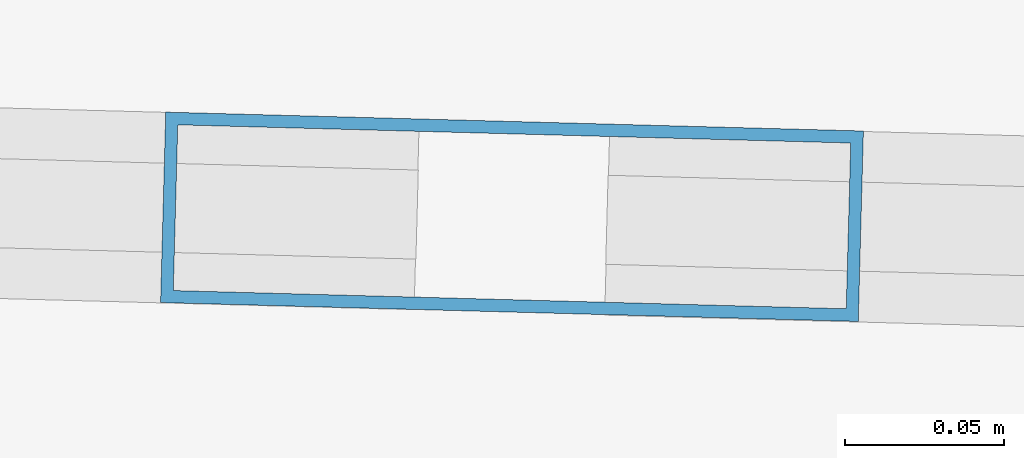
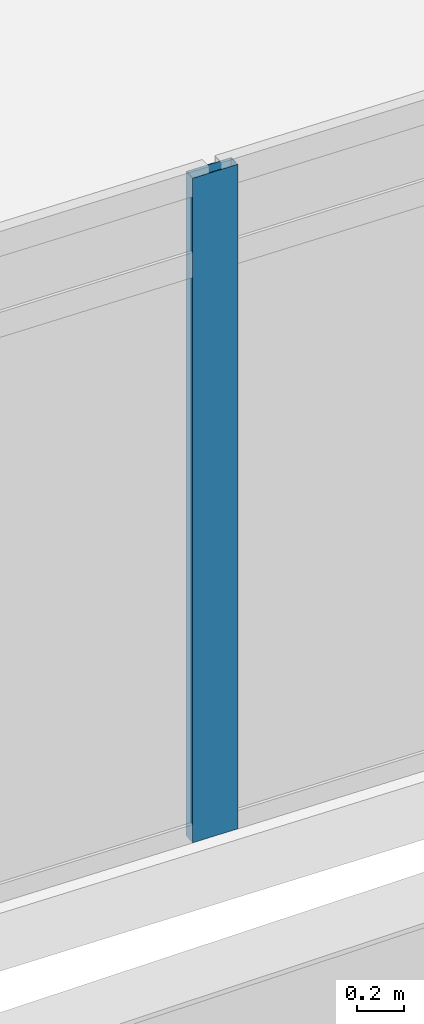
# One storey, part 7 of 38: 1 member, 1 element without a shape of its own.
"""IFC4 building model written with IfcOpenShell, lengths in metres."""

from ifc_helpers import new_model, si_unit, direction, frame, origin, origin_2d, place, context, subcontext, project, spatial, hollow_rectangle, extrude, material, material_profile, profile_set, type_object, element, aggregate, save


model = new_model("IFC4")

# Units and contexts
model_context = context("Model", 3, precision=1e-05, world=origin(), true_north=direction((0.0, 1.0)))
body_context = subcontext(model_context, "Body", "Model", "MODEL_VIEW")
ifc_project = project(units=[si_unit("LENGTHUNIT", "METRE"), si_unit("AREAUNIT", "SQUARE_METRE"), si_unit("VOLUMEUNIT", "CUBIC_METRE"), si_unit("PLANEANGLEUNIT", "RADIAN"), si_unit("MASSUNIT", "GRAM", prefix="KILO")], contexts=[model_context])

# Site, building, storey
site_placement = place(None, origin())
site = spatial("IfcSite", under=ifc_project, at=site_placement, CompositionType="ELEMENT")
building_placement = place(site_placement, origin())
building = spatial("IfcBuilding", under=site, at=building_placement, Name="Ostrander Bayou Hotel Tower", CompositionType="ELEMENT")
storey_placement = place(building_placement, frame((0.0, 0.0, 65.5)))
storey = spatial("IfcBuildingStorey", under=building, at=storey_placement, Name="L16", CompositionType="ELEMENT", Elevation=65.5)

# Curtain wall, member
ifc_material_1 = material(Name="Aluminium and clear glass", Category="aluminium")
curtain_wall_type = type_object("IfcCurtainWallType", Name="CW-BAR glazed wall", PredefinedType="NOTDEFINED", material=ifc_material_1)
curtain_wall_placement = place(storey_placement, origin())
curtain_wall = element("IfcCurtainWall", 1, at=curtain_wall_placement, inside=storey, type_object=curtain_wall_type, Name="CW-BAR L16:SB1S:T", PredefinedType="NOTDEFINED")
ifc_material_2 = material(Name="Aluminium", Category="aluminium")
ifc_material_profile = material_profile(ifc_material_2, hollow_rectangle(XDim=0.06005859375, YDim=0.219970703125, WallThickness=0.00390625, at=origin_2d()))
ifc_profile_set = profile_set([ifc_material_profile], Name="Aluminium")
member_type = type_object("IfcMemberType", Name="CW-BR mullion 60 x 220 mm", PredefinedType="MULLION", material=ifc_profile_set)
member_placement = place(storey_placement, frame((0.0, -32.449951171875, 0.0), z_axis=(0.0, 0.0, 1.0), x_axis=(0.027042484848, 0.999634285133, 0.0)))
member = element("IfcMember", 2, at=member_placement, type_object=member_type, Name="CW-BAR mullion 8", PredefinedType="MULLION", context=body_context, shape_type="SweptSolid", body=[
    extrude(hollow_rectangle(XDim=0.06005859375, YDim=0.219970703125, WallThickness=0.00390625, at=origin_2d()), origin(), (0.0, 0.0, 1.0), 3.449951171875),
])
aggregate(curtain_wall, [member])

save(model, "model.ifc")
